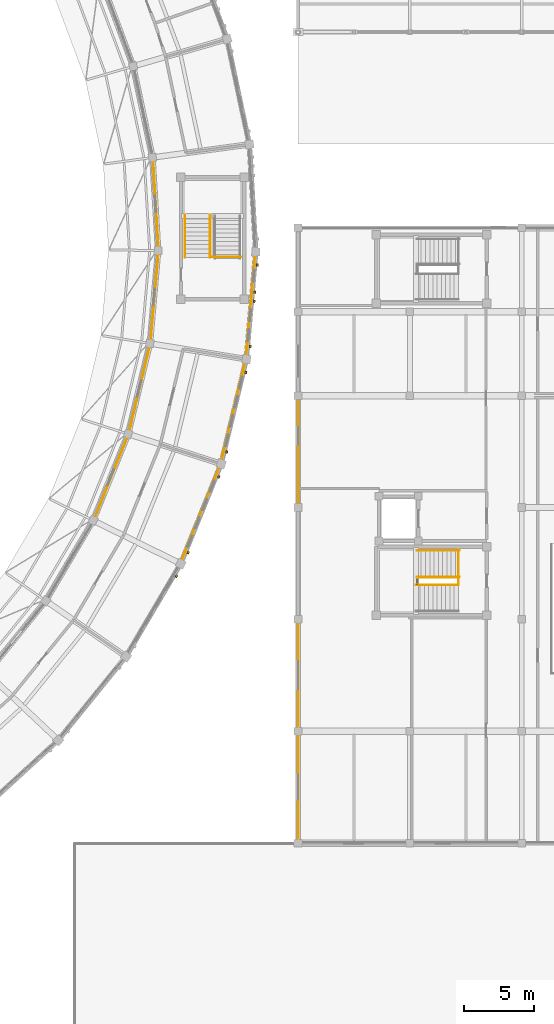
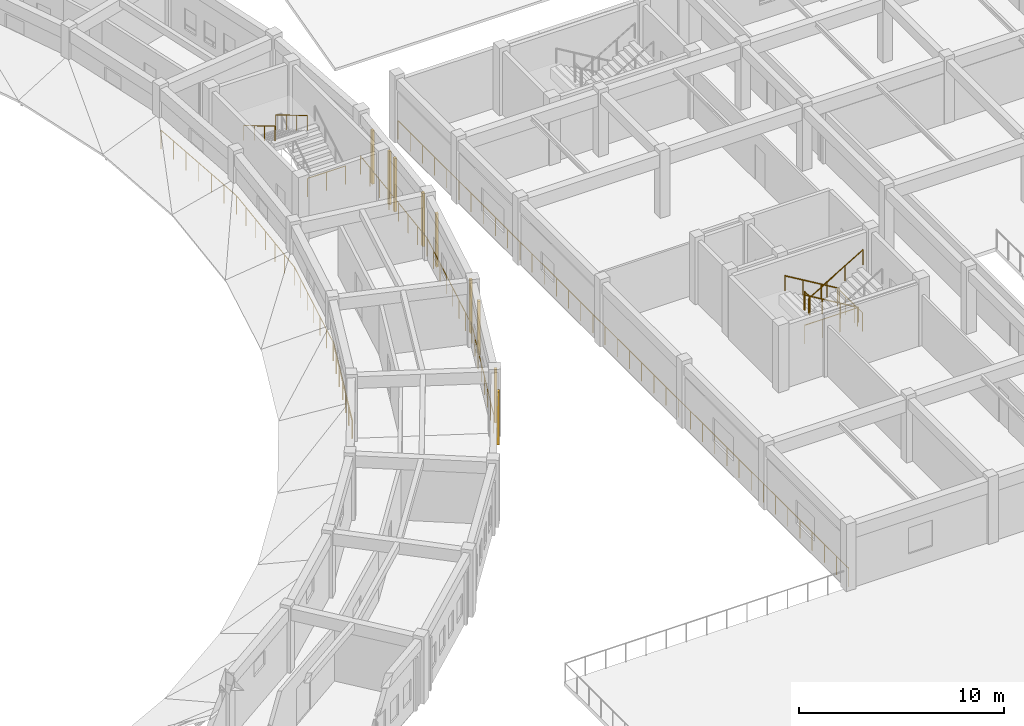
# One storey, part 109 of 112: 17 railings, 9 coverings.
"""IFC4 building model written with IfcOpenShell, lengths in metres."""

from ifc_helpers import new_model, si_unit, direction, frame, origin, origin_2d, place, context, subcontext, project, spatial, rectangle, circle, extrude, material, layer, layer_set, type_object, element, save


model = new_model("IFC4")

# Units and contexts
model_context = context("Model", 3, precision=1e-05, world=origin(), true_north=direction((0.0, 1.0)))
body_context = subcontext(model_context, "Body", "Model", "MODEL_VIEW")
ifc_project = project(units=[si_unit("LENGTHUNIT", "METRE"), si_unit("AREAUNIT", "SQUARE_METRE"), si_unit("VOLUMEUNIT", "CUBIC_METRE"), si_unit("PLANEANGLEUNIT", "RADIAN"), si_unit("MASSUNIT", "GRAM", prefix="KILO")], contexts=[model_context])

# Site, building, storey
site_placement = place(None, origin())
site = spatial("IfcSite", under=ifc_project, at=site_placement, CompositionType="ELEMENT")
building_placement = place(site_placement, origin())
building = spatial("IfcBuilding", under=site, at=building_placement, Name="Celadon Cloister-Ring School", CompositionType="ELEMENT")
storey_placement = place(building_placement, frame((0.0, 0.0, 8.5)))
storey = spatial("IfcBuildingStorey", under=building, at=storey_placement, Name="L02", CompositionType="ELEMENT", Elevation=8.5)

# Coverings
ifc_material_1 = material(Name="Perforated terracotta clay brick masonry", Category="masonry")
ifc_layer = layer(ifc_material_1, 0.139892578125)
ifc_layer_set = layer_set([ifc_layer], Name="Perforated terracotta clay brick masonry")
covering_type = type_object("IfcCoveringType", Name="CV-SC1", PredefinedType="CLADDING", material=ifc_layer_set)
for number, where, z_axis, x_axis, name in (
    (1, (133.306884765625, 35.089111328125, 0.0), (0.0, 0.0, 1.0), (-0.507944339768, -0.861389892962, 0.0), "Brick Screen Rib 0293"),
    (2, (136.3310546875, 42.193115234375, 0.0), (0.0, 0.0, 1.0), (-0.375043476904, -0.927007222427, 0.0), "Brick Screen Rib 0295"),
    (3, (134.136962890625, 36.77001953125, 0.0), (0.0, 0.0, 1.0), (-0.375043476904, -0.927007222427, 0.0), "Brick Screen Rib 0296"),
    (4, (138.27294921875, 49.6650390625, 0.0), (0.0, 0.0, 1.0), (-0.233988401232, -0.972239388263, 0.0), "Brick Screen Rib 0297"),
    (5, (136.904052734375, 43.97705078125, 0.0), (0.0, 0.0, 1.0), (-0.233988401232, -0.972239388263, 0.0), "Brick Screen Rib 0298"),
    (6, (139.090087890625, 57.342041015625, 0.0), (0.0, 0.0, 1.0), (-0.087972896574, -0.996122868661, 0.0), "Brick Screen Rib 0299"),
    (7, (138.9189453125, 55.39990234375, 0.0), (0.0, 0.0, 1.0), (-0.087972896574, -0.996122868661, 0.0), "Brick Screen Rib 0300"),
    (8, (138.861083984375, 54.751953125, 0.0), (0.0, 0.0, 1.0), (-0.087972896574, -0.996122868661, 0.0), "Brick Screen Rib 0301"),
    (9, (138.574951171875, 51.514892578125, 0.0), (0.0, 0.0, 1.0), (-0.087972896574, -0.996122868661, 0.0), "Brick Screen Rib 0302"),
):
    element("IfcCovering", number, at=place(storey_placement, frame(where, z_axis=z_axis, x_axis=x_axis)), inside=storey, type_object=covering_type, Name=name, PredefinedType="CLADDING", context=body_context, shape_type="SweptSolid", body=[
        extrude(rectangle(XDim=0.179931640625, YDim=0.139892578125, at=origin_2d()), origin(), (0.0, 0.0, 1.0), 3.172119140625),
    ])

# Railings
ifc_material_2 = material(Name="Structural steel S355JR", Category="steel")
railing_type_1 = type_object("IfcRailingType", Name="RL-BL1", PredefinedType="BALUSTRADE", material=ifc_material_2)
railing_1_placement = place(storey_placement, frame((133.589111328125, 35.993896484375, 0.0)))
element("IfcRailing", 10, at=railing_1_placement, inside=storey, type_object=railing_type_1, Name="Terrace Balustrade 0098", PredefinedType="BALUSTRADE", context=body_context, shape_type="SweptSolid", body=[
    extrude(circle(Radius=0.02392578125, at=origin_2d()), frame((0.0, 0.0, 1.09619140625), z_axis=(0.375144097263, 0.926966507641, 0.0), x_axis=(-0.926966507641, 0.375144097263, 0.0)), (0.0, 0.0, 1.0), 7.6982421875),
    extrude(circle(Radius=0.02099609375, at=origin_2d()), origin(), (0.0, 0.0, 1.0), 1.072021484375),
    extrude(circle(Radius=0.02099609375, at=origin_2d()), frame((0.41259765625, 1.01953125, 0.0)), (0.0, 0.0, 1.0), 1.072021484375),
    extrude(circle(Radius=0.02099609375, at=origin_2d()), frame((0.8251953125, 2.038818359375, 0.0)), (0.0, 0.0, 1.0), 1.072021484375),
    extrude(circle(Radius=0.02099609375, at=origin_2d()), frame((1.23779296875, 3.058349609375, 0.0)), (0.0, 0.0, 1.0), 1.072021484375),
    extrude(circle(Radius=0.02099609375, at=origin_2d()), frame((1.650146484375, 4.07763671875, 0.0)), (0.0, 0.0, 1.0), 1.072021484375),
    extrude(circle(Radius=0.02099609375, at=origin_2d()), frame((2.062744140625, 5.09716796875, 0.0)), (0.0, 0.0, 1.0), 1.072021484375),
    extrude(circle(Radius=0.02099609375, at=origin_2d()), frame((2.475341796875, 6.116455078125, 0.0)), (0.0, 0.0, 1.0), 1.072021484375),
    extrude(circle(Radius=0.02099609375, at=origin_2d()), frame((2.887939453125, 7.135986328125, 0.0)), (0.0, 0.0, 1.0), 1.072021484375),
])
railing_2_placement = place(storey_placement, frame((136.47705078125, 43.1298828125, 0.0)))
element("IfcRailing", 11, at=railing_2_placement, inside=storey, type_object=railing_type_1, Name="Terrace Balustrade 0099", PredefinedType="BALUSTRADE", context=body_context, shape_type="SweptSolid", body=[
    extrude(circle(Radius=0.02392578125, at=origin_2d()), frame((0.0, 0.0, 1.09619140625), z_axis=(0.234086591506, 0.972215751609, 0.0), x_axis=(-0.972215751609, 0.234086591506, 0.0)), (0.0, 0.0, 1.0), 7.697998046875),
    extrude(circle(Radius=0.02099609375, at=origin_2d()), origin(), (0.0, 0.0, 1.0), 1.072021484375),
    extrude(circle(Radius=0.02099609375, at=origin_2d()), frame((0.25732421875, 1.069091796875, 0.0)), (0.0, 0.0, 1.0), 1.072021484375),
    extrude(circle(Radius=0.02099609375, at=origin_2d()), frame((0.514892578125, 2.138427734375, 0.0)), (0.0, 0.0, 1.0), 1.072021484375),
    extrude(circle(Radius=0.02099609375, at=origin_2d()), frame((0.772216796875, 3.20751953125, 0.0)), (0.0, 0.0, 1.0), 1.072021484375),
    extrude(circle(Radius=0.02099609375, at=origin_2d()), frame((1.02978515625, 4.276611328125, 0.0)), (0.0, 0.0, 1.0), 1.072021484375),
    extrude(circle(Radius=0.02099609375, at=origin_2d()), frame((1.287109375, 5.345703125, 0.0)), (0.0, 0.0, 1.0), 1.072021484375),
    extrude(circle(Radius=0.02099609375, at=origin_2d()), frame((1.544677734375, 6.4150390625, 0.0)), (0.0, 0.0, 1.0), 1.072021484375),
    extrude(circle(Radius=0.02099609375, at=origin_2d()), frame((1.802001953125, 7.484130859375, 0.0)), (0.0, 0.0, 1.0), 1.072021484375),
])
railing_3_placement = place(storey_placement, frame((138.279052734375, 50.614013671875, 0.0)))
element("IfcRailing", 12, at=railing_3_placement, inside=storey, type_object=railing_type_1, Name="Terrace Balustrade 0100", PredefinedType="BALUSTRADE", context=body_context, shape_type="SweptSolid", body=[
    extrude(circle(Radius=0.02392578125, at=origin_2d()), frame((0.0, 0.0, 1.09619140625), z_axis=(0.08782161192, 0.996136217834, 0.0), x_axis=(-0.996136217834, 0.08782161192, 0.0)), (0.0, 0.0, 1.0), 7.69775390625),
    extrude(circle(Radius=0.02099609375, at=origin_2d()), origin(), (0.0, 0.0, 1.0), 1.072021484375),
    extrude(circle(Radius=0.02099609375, at=origin_2d()), frame((0.0966796875, 1.095458984375, 0.0)), (0.0, 0.0, 1.0), 1.072021484375),
    extrude(circle(Radius=0.02099609375, at=origin_2d()), frame((0.193115234375, 2.19091796875, 0.0)), (0.0, 0.0, 1.0), 1.072021484375),
    extrude(circle(Radius=0.02099609375, at=origin_2d()), frame((0.289794921875, 3.286376953125, 0.0)), (0.0, 0.0, 1.0), 1.072021484375),
    extrude(circle(Radius=0.02099609375, at=origin_2d()), frame((0.38623046875, 4.381591796875, 0.0)), (0.0, 0.0, 1.0), 1.072021484375),
    extrude(circle(Radius=0.02099609375, at=origin_2d()), frame((0.48291015625, 5.47705078125, 0.0)), (0.0, 0.0, 1.0), 1.072021484375),
    extrude(circle(Radius=0.02099609375, at=origin_2d()), frame((0.579345703125, 6.572509765625, 0.0)), (0.0, 0.0, 1.0), 1.072021484375),
    extrude(circle(Radius=0.02099609375, at=origin_2d()), frame((0.676025390625, 7.66796875, 0.0)), (0.0, 0.0, 1.0), 1.072021484375),
])
railing_4_placement = place(storey_placement, frame((127.385009765625, 39.05810546875, 0.0)))
element("IfcRailing", 13, at=railing_4_placement, inside=storey, type_object=railing_type_1, Name="Terrace Balustrade 0133", PredefinedType="BALUSTRADE", context=body_context, shape_type="SweptSolid", body=[
    extrude(circle(Radius=0.02392578125, at=origin_2d()), frame((0.0, 0.0, 1.09619140625), z_axis=(0.375135116183, 0.926970142241, 0.0), x_axis=(-0.926970142241, 0.375135116183, 0.0)), (0.0, 0.0, 1.0), 6.672119140625),
    extrude(circle(Radius=0.02099609375, at=origin_2d()), origin(), (0.0, 0.0, 1.0), 1.072021484375),
    extrude(circle(Radius=0.02099609375, at=origin_2d()), frame((0.417236328125, 1.03076171875, 0.0)), (0.0, 0.0, 1.0), 1.072021484375),
    extrude(circle(Radius=0.02099609375, at=origin_2d()), frame((0.834228515625, 2.0615234375, 0.0)), (0.0, 0.0, 1.0), 1.072021484375),
    extrude(circle(Radius=0.02099609375, at=origin_2d()), frame((1.25146484375, 3.09228515625, 0.0)), (0.0, 0.0, 1.0), 1.072021484375),
    extrude(circle(Radius=0.02099609375, at=origin_2d()), frame((1.668701171875, 4.123291015625, 0.0)), (0.0, 0.0, 1.0), 1.072021484375),
    extrude(circle(Radius=0.02099609375, at=origin_2d()), frame((2.085693359375, 5.154052734375, 0.0)), (0.0, 0.0, 1.0), 1.072021484375),
    extrude(circle(Radius=0.02099609375, at=origin_2d()), frame((2.5029296875, 6.184814453125, 0.0)), (0.0, 0.0, 1.0), 1.072021484375),
])
railing_5_placement = place(storey_placement, frame((129.887939453125, 45.242919921875, 0.0)))
element("IfcRailing", 14, at=railing_5_placement, inside=storey, type_object=railing_type_1, Name="Terrace Balustrade 0134", PredefinedType="BALUSTRADE", context=body_context, shape_type="SweptSolid", body=[
    extrude(circle(Radius=0.02392578125, at=origin_2d()), frame((0.0, 0.0, 1.09619140625), z_axis=(0.234064724834, 0.972221016327, 0.0), x_axis=(-0.972221016327, 0.234064724834, 0.0)), (0.0, 0.0, 1.0), 6.67333984375),
    extrude(circle(Radius=0.02099609375, at=origin_2d()), origin(), (0.0, 0.0, 1.0), 1.072021484375),
    extrude(circle(Radius=0.02099609375, at=origin_2d()), frame((0.26025390625, 1.081298828125, 0.0)), (0.0, 0.0, 1.0), 1.072021484375),
    extrude(circle(Radius=0.02099609375, at=origin_2d()), frame((0.520751953125, 2.16259765625, 0.0)), (0.0, 0.0, 1.0), 1.072021484375),
    extrude(circle(Radius=0.02099609375, at=origin_2d()), frame((0.781005859375, 3.244140625, 0.0)), (0.0, 0.0, 1.0), 1.072021484375),
    extrude(circle(Radius=0.02099609375, at=origin_2d()), frame((1.041259765625, 4.325439453125, 0.0)), (0.0, 0.0, 1.0), 1.072021484375),
    extrude(circle(Radius=0.02099609375, at=origin_2d()), frame((1.3017578125, 5.40673828125, 0.0)), (0.0, 0.0, 1.0), 1.072021484375),
    extrude(circle(Radius=0.02099609375, at=origin_2d()), frame((1.56201171875, 6.488037109375, 0.0)), (0.0, 0.0, 1.0), 1.072021484375),
])
railing_6_placement = place(storey_placement, frame((131.449951171875, 51.73095703125, 0.0)))
element("IfcRailing", 15, at=railing_6_placement, inside=storey, type_object=railing_type_1, Name="Terrace Balustrade 0135", PredefinedType="BALUSTRADE", context=body_context, shape_type="SweptSolid", body=[
    extrude(circle(Radius=0.02392578125, at=origin_2d()), frame((0.0, 0.0, 1.09619140625), z_axis=(0.087823325262, 0.99613606678, 0.0), x_axis=(-0.99613606678, 0.087823325262, 0.0)), (0.0, 0.0, 1.0), 6.671875),
    extrude(circle(Radius=0.02099609375, at=origin_2d()), origin(), (0.0, 0.0, 1.0), 1.072021484375),
    extrude(circle(Radius=0.02099609375, at=origin_2d()), frame((0.09765625, 1.107666015625, 0.0)), (0.0, 0.0, 1.0), 1.072021484375),
    extrude(circle(Radius=0.02099609375, at=origin_2d()), frame((0.1953125, 2.21533203125, 0.0)), (0.0, 0.0, 1.0), 1.072021484375),
    extrude(circle(Radius=0.02099609375, at=origin_2d()), frame((0.29296875, 3.322998046875, 0.0)), (0.0, 0.0, 1.0), 1.072021484375),
    extrude(circle(Radius=0.02099609375, at=origin_2d()), frame((0.390625, 4.4306640625, 0.0)), (0.0, 0.0, 1.0), 1.072021484375),
    extrude(circle(Radius=0.02099609375, at=origin_2d()), frame((0.48828125, 5.538330078125, 0.0)), (0.0, 0.0, 1.0), 1.072021484375),
    extrude(circle(Radius=0.02099609375, at=origin_2d()), frame((0.5859375, 6.64599609375, 0.0)), (0.0, 0.0, 1.0), 1.072021484375),
])
railing_7_placement = place(storey_placement, frame((132.035888671875, 58.376953125, 0.0)))
element("IfcRailing", 16, at=railing_7_placement, inside=storey, type_object=railing_type_1, Name="Terrace Balustrade 0136", PredefinedType="BALUSTRADE", context=body_context, shape_type="SweptSolid", body=[
    extrude(circle(Radius=0.02392578125, at=origin_2d()), frame((0.0, 0.0, 1.09619140625), z_axis=(-0.060364720691, 0.998176387467, 0.0), x_axis=(-0.998176387467, -0.060364720691, 0.0)), (0.0, 0.0, 1.0), 6.67333984375),
    extrude(circle(Radius=0.02099609375, at=origin_2d()), origin(), (0.0, 0.0, 1.0), 1.072021484375),
    extrude(circle(Radius=0.02099609375, at=origin_2d()), frame((-0.067138671875, 1.110107421875, 0.0)), (0.0, 0.0, 1.0), 1.072021484375),
    extrude(circle(Radius=0.02099609375, at=origin_2d()), frame((-0.13427734375, 2.220458984375, 0.0)), (0.0, 0.0, 1.0), 1.072021484375),
    extrude(circle(Radius=0.02099609375, at=origin_2d()), frame((-0.201416015625, 3.33056640625, 0.0)), (0.0, 0.0, 1.0), 1.072021484375),
    extrude(circle(Radius=0.02099609375, at=origin_2d()), frame((-0.2685546875, 4.440673828125, 0.0)), (0.0, 0.0, 1.0), 1.072021484375),
    extrude(circle(Radius=0.02099609375, at=origin_2d()), frame((-0.335693359375, 5.551025390625, 0.0)), (0.0, 0.0, 1.0), 1.072021484375),
    extrude(circle(Radius=0.02099609375, at=origin_2d()), frame((-0.40283203125, 6.6611328125, 0.0)), (0.0, 0.0, 1.0), 1.072021484375),
])
railing_8_placement = place(storey_placement, frame((142.0400390625, 16.0400390625, 0.0)))
element("IfcRailing", 17, at=railing_8_placement, inside=storey, type_object=railing_type_1, Name="Terrace Balustrade 0431", PredefinedType="BALUSTRADE", context=body_context, shape_type="SweptSolid", body=[
    extrude(circle(Radius=0.02392578125, at=origin_2d()), frame((0.0, 0.0, 1.09619140625), z_axis=(0.0, 1.0, 0.0), x_axis=(-1.0, 0.0, 0.0)), (0.0, 0.0, 1.0), 43.919921875),
    extrude(circle(Radius=0.02099609375, at=origin_2d()), origin(), (0.0, 0.0, 1.0), 1.072021484375),
    extrude(circle(Radius=0.02099609375, at=origin_2d()), frame((0.0, 1.18701171875, 0.0)), (0.0, 0.0, 1.0), 1.072021484375),
    extrude(circle(Radius=0.02099609375, at=origin_2d()), frame((0.0, 2.3740234375, 0.0)), (0.0, 0.0, 1.0), 1.072021484375),
    extrude(circle(Radius=0.02099609375, at=origin_2d()), frame((0.0, 3.56103515625, 0.0)), (0.0, 0.0, 1.0), 1.072021484375),
    extrude(circle(Radius=0.02099609375, at=origin_2d()), frame((0.0, 4.748046875, 0.0)), (0.0, 0.0, 1.0), 1.072021484375),
    extrude(circle(Radius=0.02099609375, at=origin_2d()), frame((0.0, 5.93505859375, 0.0)), (0.0, 0.0, 1.0), 1.072021484375),
    extrude(circle(Radius=0.02099609375, at=origin_2d()), frame((0.0, 7.1220703125, 0.0)), (0.0, 0.0, 1.0), 1.072021484375),
    extrude(circle(Radius=0.02099609375, at=origin_2d()), frame((0.0, 8.30908203125, 0.0)), (0.0, 0.0, 1.0), 1.072021484375),
    extrude(circle(Radius=0.02099609375, at=origin_2d()), frame((0.0, 9.49609375, 0.0)), (0.0, 0.0, 1.0), 1.072021484375),
    extrude(circle(Radius=0.02099609375, at=origin_2d()), frame((0.0, 10.68310546875, 0.0)), (0.0, 0.0, 1.0), 1.072021484375),
    extrude(circle(Radius=0.02099609375, at=origin_2d()), frame((0.0, 11.870361328125, 0.0)), (0.0, 0.0, 1.0), 1.072021484375),
    extrude(circle(Radius=0.02099609375, at=origin_2d()), frame((0.0, 13.057373046875, 0.0)), (0.0, 0.0, 1.0), 1.072021484375),
    extrude(circle(Radius=0.02099609375, at=origin_2d()), frame((0.0, 14.244384765625, 0.0)), (0.0, 0.0, 1.0), 1.072021484375),
    extrude(circle(Radius=0.02099609375, at=origin_2d()), frame((0.0, 15.431396484375, 0.0)), (0.0, 0.0, 1.0), 1.072021484375),
    extrude(circle(Radius=0.02099609375, at=origin_2d()), frame((0.0, 16.618408203125, 0.0)), (0.0, 0.0, 1.0), 1.072021484375),
    extrude(circle(Radius=0.02099609375, at=origin_2d()), frame((0.0, 17.805419921875, 0.0)), (0.0, 0.0, 1.0), 1.072021484375),
    extrude(circle(Radius=0.02099609375, at=origin_2d()), frame((0.0, 18.992431640625, 0.0)), (0.0, 0.0, 1.0), 1.072021484375),
    extrude(circle(Radius=0.02099609375, at=origin_2d()), frame((0.0, 20.179443359375, 0.0)), (0.0, 0.0, 1.0), 1.072021484375),
    extrude(circle(Radius=0.02099609375, at=origin_2d()), frame((0.0, 21.366455078125, 0.0)), (0.0, 0.0, 1.0), 1.072021484375),
    extrude(circle(Radius=0.02099609375, at=origin_2d()), frame((0.0, 22.553466796875, 0.0)), (0.0, 0.0, 1.0), 1.072021484375),
    extrude(circle(Radius=0.02099609375, at=origin_2d()), frame((0.0, 23.740478515625, 0.0)), (0.0, 0.0, 1.0), 1.072021484375),
    extrude(circle(Radius=0.02099609375, at=origin_2d()), frame((0.0, 24.927490234375, 0.0)), (0.0, 0.0, 1.0), 1.072021484375),
    extrude(circle(Radius=0.02099609375, at=origin_2d()), frame((0.0, 26.114501953125, 0.0)), (0.0, 0.0, 1.0), 1.072021484375),
    extrude(circle(Radius=0.02099609375, at=origin_2d()), frame((0.0, 27.301513671875, 0.0)), (0.0, 0.0, 1.0), 1.072021484375),
    extrude(circle(Radius=0.02099609375, at=origin_2d()), frame((0.0, 28.488525390625, 0.0)), (0.0, 0.0, 1.0), 1.072021484375),
    extrude(circle(Radius=0.02099609375, at=origin_2d()), frame((0.0, 29.675537109375, 0.0)), (0.0, 0.0, 1.0), 1.072021484375),
    extrude(circle(Radius=0.02099609375, at=origin_2d()), frame((0.0, 30.862548828125, 0.0)), (0.0, 0.0, 1.0), 1.072021484375),
    extrude(circle(Radius=0.02099609375, at=origin_2d()), frame((0.0, 32.049560546875, 0.0)), (0.0, 0.0, 1.0), 1.072021484375),
    extrude(circle(Radius=0.02099609375, at=origin_2d()), frame((0.0, 33.23681640625, 0.0)), (0.0, 0.0, 1.0), 1.072021484375),
    extrude(circle(Radius=0.02099609375, at=origin_2d()), frame((0.0, 34.423828125, 0.0)), (0.0, 0.0, 1.0), 1.072021484375),
    extrude(circle(Radius=0.02099609375, at=origin_2d()), frame((0.0, 35.61083984375, 0.0)), (0.0, 0.0, 1.0), 1.072021484375),
    extrude(circle(Radius=0.02099609375, at=origin_2d()), frame((0.0, 36.7978515625, 0.0)), (0.0, 0.0, 1.0), 1.072021484375),
    extrude(circle(Radius=0.02099609375, at=origin_2d()), frame((0.0, 37.98486328125, 0.0)), (0.0, 0.0, 1.0), 1.072021484375),
    extrude(circle(Radius=0.02099609375, at=origin_2d()), frame((0.0, 39.171875, 0.0)), (0.0, 0.0, 1.0), 1.072021484375),
    extrude(circle(Radius=0.02099609375, at=origin_2d()), frame((0.0, 40.35888671875, 0.0)), (0.0, 0.0, 1.0), 1.072021484375),
    extrude(circle(Radius=0.02099609375, at=origin_2d()), frame((0.0, 41.5458984375, 0.0)), (0.0, 0.0, 1.0), 1.072021484375),
    extrude(circle(Radius=0.02099609375, at=origin_2d()), frame((0.0, 42.73291015625, 0.0)), (0.0, 0.0, 1.0), 1.072021484375),
    extrude(circle(Radius=0.02099609375, at=origin_2d()), frame((0.0, 43.919921875, 0.0)), (0.0, 0.0, 1.0), 1.072021484375),
])
ifc_material_3 = material(Name="Structural steel S355JR", Category="steel")
railing_type_2 = type_object("IfcRailingType", Name="RL-BL2", PredefinedType="BALUSTRADE", material=ifc_material_3)
railing_9_placement = place(storey_placement, frame((150.510009765625, 34.5, 2.0)))
element("IfcRailing", 18, at=railing_9_placement, inside=storey, type_object=railing_type_2, Name="Interior Guard 0185", PredefinedType="BALUSTRADE", context=body_context, shape_type="SweptSolid", body=[
    extrude(circle(Radius=0.02392578125, at=origin_2d()), frame((0.0, 0.0, 1.09619140625), z_axis=(0.0, 1.0, 0.0), x_axis=(-1.0, 0.0, 0.0)), (0.0, 0.0, 1.0), 0.5),
    extrude(circle(Radius=0.02099609375, at=origin_2d()), origin(), (0.0, 0.0, 1.0), 1.072021484375),
    extrude(circle(Radius=0.02099609375, at=origin_2d()), frame((0.0, 0.5, 0.0)), (0.0, 0.0, 1.0), 1.072021484375),
])
railing_10_placement = place(storey_placement, frame((153.47998046875, 34.5, 0.0)))
element("IfcRailing", 19, at=railing_10_placement, inside=storey, type_object=railing_type_2, Name="Interior Guard 0186", PredefinedType="BALUSTRADE", context=body_context, shape_type="SweptSolid", body=[
    extrude(circle(Radius=0.02392578125, at=origin_2d()), frame((0.0, 0.0, 1.09619140625), z_axis=(0.0, 1.0, 0.0), x_axis=(-1.0, 0.0, 0.0)), (0.0, 0.0, 1.0), 2.4599609375),
    extrude(circle(Radius=0.02099609375, at=origin_2d()), origin(), (0.0, 0.0, 1.0), 1.072021484375),
    extrude(circle(Radius=0.02099609375, at=origin_2d()), frame((0.0, 0.820068359375, 0.0)), (0.0, 0.0, 1.0), 1.072021484375),
    extrude(circle(Radius=0.02099609375, at=origin_2d()), frame((0.0, 1.639892578125, 0.0)), (0.0, 0.0, 1.0), 1.072021484375),
    extrude(circle(Radius=0.02099609375, at=origin_2d()), frame((0.0, 2.4599609375, 0.0)), (0.0, 0.0, 1.0), 1.072021484375),
])
railing_11_placement = place(storey_placement, frame((153.47998046875, 35.0, 0.0)))
element("IfcRailing", 20, at=railing_11_placement, inside=storey, type_object=railing_type_2, Name="Interior Guard 0187", PredefinedType="BALUSTRADE", context=body_context, shape_type="SweptSolid", body=[
    extrude(circle(Radius=0.02392578125, at=origin_2d()), frame((0.0, 0.0, 1.09619140625), z_axis=(-1.0, 0.0, 0.0), x_axis=(0.0, -1.0, 0.0)), (0.0, 0.0, 1.0), 2.969970703125),
    extrude(circle(Radius=0.02099609375, at=origin_2d()), origin(), (0.0, 0.0, 1.0), 1.072021484375),
    extrude(circle(Radius=0.02099609375, at=origin_2d()), frame((-0.989990234375, 0.0, 0.0)), (0.0, 0.0, 1.0), 1.072021484375),
    extrude(circle(Radius=0.02099609375, at=origin_2d()), frame((-1.97998046875, 0.0, 0.0)), (0.0, 0.0, 1.0), 1.072021484375),
    extrude(circle(Radius=0.02099609375, at=origin_2d()), frame((-2.969970703125, 0.0, 0.0)), (0.0, 0.0, 1.0), 1.072021484375),
])
railing_12_placement = place(storey_placement, frame((135.77001953125, 57.9150390625, 0.0)))
element("IfcRailing", 21, at=railing_12_placement, inside=storey, type_object=railing_type_2, Name="Interior Guard 0270", PredefinedType="BALUSTRADE", context=body_context, shape_type="SweptSolid", body=[
    extrude(circle(Radius=0.02392578125, at=origin_2d()), frame((0.0, 0.0, 1.09619140625), z_axis=(1.0, 0.0, 0.0), x_axis=(0.0, 1.0, 0.0)), (0.0, 0.0, 1.0), 2.139892578125),
    extrude(circle(Radius=0.02099609375, at=origin_2d()), origin(), (0.0, 0.0, 1.0), 1.072021484375),
    extrude(circle(Radius=0.02099609375, at=origin_2d()), frame((1.06982421875, 0.0, 0.0)), (0.0, 0.0, 1.0), 1.072021484375),
    extrude(circle(Radius=0.02099609375, at=origin_2d()), frame((2.139892578125, 0.0, 0.0)), (0.0, 0.0, 1.0), 1.072021484375),
])
ifc_material_4 = material(Name="Structural steel S355JR", Category="steel")
railing_type_3 = type_object("IfcRailingType", Name="RL-HR1", PredefinedType="HANDRAIL", material=ifc_material_4)
for number, where, name in (
    (22, (153.56005859375, 36.9150390625, 0.181884765625), "Stair Handrail 0181"),
    (23, (153.56005859375, 35.044921875, 0.181884765625), "Stair Handrail 0182"),
):
    element("IfcRailing", number, at=place(storey_placement, frame(where)), inside=storey, type_object=railing_type_3, Name=name, PredefinedType="HANDRAIL", context=body_context, shape_type="SweptSolid", body=[
        extrude(circle(Radius=0.02099609375, at=origin_2d()), frame((0.0, 0.0, 0.87890625), z_axis=(-0.858969654429, 0.0, 0.51202649616), x_axis=(0.0, -1.0, 0.0)), (0.0, 0.0, 1.0), 3.55078125),
        extrude(circle(Radius=0.01806640625, at=origin_2d()), origin(), (0.0, 0.0, 1.0), 0.85791015625),
        extrude(circle(Radius=0.01806640625, at=origin_2d()), frame((-1.0166015625, 0.0, 0.60595703125)), (0.0, 0.0, 1.0), 0.85791015625),
        extrude(circle(Radius=0.01806640625, at=origin_2d()), frame((-2.033447265625, 0.0, 1.212158203125)), (0.0, 0.0, 1.0), 0.85791015625),
        extrude(circle(Radius=0.01806640625, at=origin_2d()), frame((-3.050048828125, 0.0, 1.818115234375)), (0.0, 0.0, 1.0), 0.85791015625),
    ])
railing_13_placement = place(storey_placement, frame((150.429931640625, 34.455078125, 2.181884765625)))
element("IfcRailing", 24, at=railing_13_placement, inside=storey, type_object=railing_type_3, Name="Stair Handrail 0184", PredefinedType="HANDRAIL", context=body_context, shape_type="SweptSolid", body=[
    extrude(circle(Radius=0.02099609375, at=origin_2d()), frame((0.0, 0.0, 0.87890625), z_axis=(0.858969654429, 0.0, 0.51202649616), x_axis=(0.0, 1.0, 0.0)), (0.0, 0.0, 1.0), 3.55078125),
    extrude(circle(Radius=0.01806640625, at=origin_2d()), origin(), (0.0, 0.0, 1.0), 0.85791015625),
    extrude(circle(Radius=0.01806640625, at=origin_2d()), frame((1.0166015625, 0.0, 0.60595703125)), (0.0, 0.0, 1.0), 0.85791015625),
    extrude(circle(Radius=0.01806640625, at=origin_2d()), frame((2.033447265625, 0.0, 1.212158203125)), (0.0, 0.0, 1.0), 0.85791015625),
    extrude(circle(Radius=0.01806640625, at=origin_2d()), frame((3.050048828125, 0.0, 1.818115234375)), (0.0, 0.0, 1.0), 0.85791015625),
])
for number, where, name in (
    (25, (133.9150390625, 60.929931640625, 2.181884765625), "Stair Handrail 0267"),
    (26, (135.72509765625, 60.929931640625, 2.181884765625), "Stair Handrail 0268"),
):
    element("IfcRailing", number, at=place(storey_placement, frame(where)), inside=storey, type_object=railing_type_3, Name=name, PredefinedType="HANDRAIL", context=body_context, shape_type="SweptSolid", body=[
        extrude(circle(Radius=0.02099609375, at=origin_2d()), frame((0.0, 0.0, 0.87890625), z_axis=(0.0, -0.858969654429, 0.51202649616), x_axis=(1.0, 0.0, 0.0)), (0.0, 0.0, 1.0), 3.55078125),
        extrude(circle(Radius=0.01806640625, at=origin_2d()), origin(), (0.0, 0.0, 1.0), 0.85791015625),
        extrude(circle(Radius=0.01806640625, at=origin_2d()), frame((0.0, -1.0166015625, 0.60595703125)), (0.0, 0.0, 1.0), 0.85791015625),
        extrude(circle(Radius=0.01806640625, at=origin_2d()), frame((0.0, -2.033447265625, 1.212158203125)), (0.0, 0.0, 1.0), 0.85791015625),
        extrude(circle(Radius=0.01806640625, at=origin_2d()), frame((0.0, -3.050048828125, 1.818115234375)), (0.0, 0.0, 1.0), 0.85791015625),
    ])

save(model, "model.ifc")
